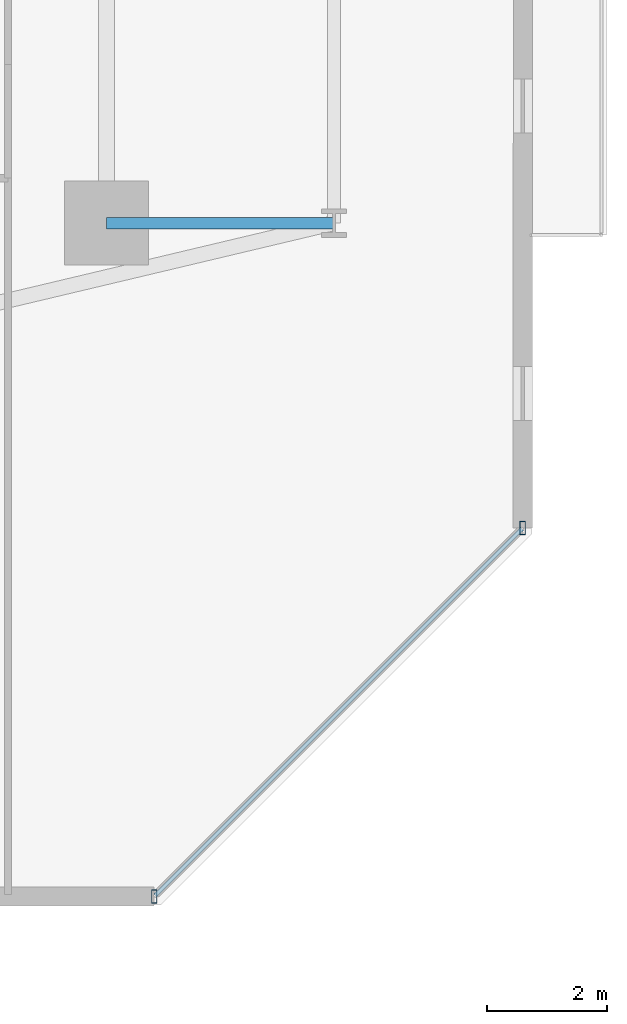
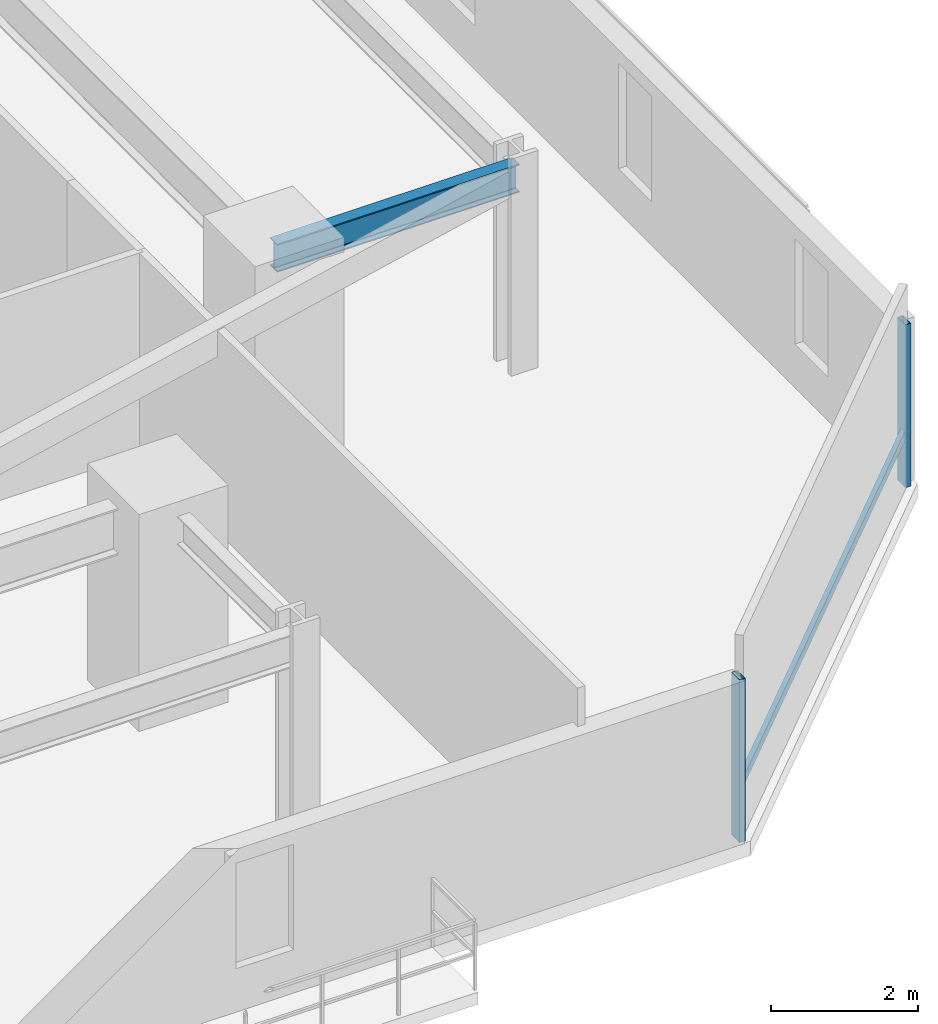
# One storey, part 12 of 34: 3 members, 1 beam, 1 element without a shape of its own.
"""IFC4 building model written with IfcOpenShell, lengths in metres."""

import ifcopenshell
import ifcopenshell.guid

model = None  # the IFC model being written
_history = None  # IfcOwnerHistory: only IFC2X3 demands one
_inside = {}  # id of a spatial element -> (the spatial element, [elements in it])
_under = {}  # id of a project, library or spatial element -> (it, [spatial elements below it])
_declared = {}  # id of a project -> (the project, [libraries it declares])
_typed = {}  # id of a type object -> (the type object, [elements of that type])
_made_of = {}  # id of a material, layer set ... -> (it, [elements and type objects made of it])


def new_model(schema):
    """Start an empty IFC model of exactly this schema.

    Asked for "IFC4X3", IfcOpenShell would pick the latest addendum, in which some entities
    have other attributes; the version numbers below select the first issue.
    IFC2X3 requires an IfcOwnerHistory on every rooted entity: one is made here for all.
    """
    global model, _history
    if schema == "IFC4X3":
        model = ifcopenshell.file(schema_version=(4, 3, 0, 0))
    else:
        model = ifcopenshell.file(schema=schema)
    _inside.clear()
    _under.clear()
    _declared.clear()
    _typed.clear()
    _made_of.clear()
    _history = None
    if model.schema == "IFC2X3":
        org = make("IfcOrganization", Name="unknown")
        user = make(
            "IfcPersonAndOrganization",
            ThePerson=make("IfcPerson", FamilyName="unknown"),
            TheOrganization=org,
        )
        app = make(
            "IfcApplication",
            ApplicationDeveloper=org,
            Version="unknown",
            ApplicationFullName="unknown",
            ApplicationIdentifier="unknown",
        )
        _history = make(
            "IfcOwnerHistory",
            OwningUser=user,
            OwningApplication=app,
            ChangeAction="ADDED",
            CreationDate=0,
        )
    return model


def make(cls, **values):
    """One entity of the class cls with the attributes given. An attribute that is None is left unset."""
    return model.create_entity(
        cls, **{name: value for name, value in values.items() if value is not None}
    )


def rooted(cls, **values):
    """An entity with a GlobalId (a new one), such as an element, a storey or a relation."""
    return make(cls, GlobalId=ifcopenshell.guid.new(), OwnerHistory=_history, **values)


def si_unit(unit_type, name, prefix=None):
    """IfcSIUnit, for example si_unit("LENGTHUNIT", "METRE", prefix="MILLI")."""
    return make("IfcSIUnit", UnitType=unit_type, Prefix=prefix, Name=name)


def assignment(units):
    """IfcUnitAssignment: the units of a project."""
    return None if units is None else make("IfcUnitAssignment", Units=units)


def point(xyz):
    """IfcCartesianPoint."""
    return None if xyz is None else make("IfcCartesianPoint", Coordinates=xyz)


def direction(xyz):
    """IfcDirection."""
    return None if xyz is None else make("IfcDirection", DirectionRatios=xyz)


def frame(location, z_axis=None, x_axis=None):
    """IfcAxis2Placement3D, a coordinate frame: its origin and axes. An axis left out is left unset."""
    return make(
        "IfcAxis2Placement3D",
        Location=point(location),
        Axis=direction(z_axis),
        RefDirection=direction(x_axis),
    )


def frame_2d(location, x_axis=None):
    """IfcAxis2Placement2D, a coordinate frame in the plane: its origin and x axis."""
    return make(
        "IfcAxis2Placement2D", Location=point(location), RefDirection=direction(x_axis)
    )


def origin():
    """The frame at (0, 0, 0) with its axes left unset."""
    return frame((0.0, 0.0, 0.0))


def origin_2d():
    """The frame at (0, 0) in the plane with its x axis left unset."""
    return frame_2d((0.0, 0.0))


def place(relative_to, where):
    """IfcLocalPlacement: puts the frame where relative to a parent placement (None: the world)."""
    return make(
        "IfcLocalPlacement", PlacementRelTo=relative_to, RelativePlacement=where
    )


def context(
    kind, dimensions, precision=None, world=None, true_north=None, identifier=None
):
    """IfcGeometricRepresentationContext, for example the 3D "Model" context."""
    return make(
        "IfcGeometricRepresentationContext",
        ContextIdentifier=identifier,
        ContextType=kind,
        CoordinateSpaceDimension=dimensions,
        Precision=precision,
        WorldCoordinateSystem=world,
        TrueNorth=true_north,
    )


def subcontext(parent, identifier, kind, view, scale=None):
    """IfcGeometricRepresentationSubContext, for example "Body" below "Model"."""
    return make(
        "IfcGeometricRepresentationSubContext",
        ContextIdentifier=identifier,
        ContextType=kind,
        ParentContext=parent,
        TargetScale=scale,
        TargetView=view,
    )


def project(units=None, contexts=None):
    """IfcProject with its units and contexts."""
    return rooted(
        "IfcProject",
        Name="project",
        RepresentationContexts=contexts,
        UnitsInContext=assignment(units),
    )


def spatial(cls, under=None, at=None, **own):
    """A site, building, storey or space (cls), placed at a placement, below another one or the project."""
    s = rooted(cls, ObjectPlacement=at, **own)
    if under is not None:
        _under.setdefault(under.id(), (under, []))[1].append(s)
    return s


def profile(cls, at=None, kind="AREA", **sizes):
    """A parametric profile (cls). Its sizes go by their IFC names, for example OverallWidth=200.0."""
    return make(cls, ProfileType=kind, Position=at, **sizes)


def hollow_rectangle(**sizes):
    """IfcRectangleHollowProfileDef."""
    return profile("IfcRectangleHollowProfileDef", **sizes)


def i_section(**sizes):
    """IfcIShapeProfileDef."""
    return profile("IfcIShapeProfileDef", **sizes)


def extrude(swept, where, along, depth):
    """IfcExtrudedAreaSolid: the profile swept, set in the frame where, extruded along a direction by depth."""
    return make(
        "IfcExtrudedAreaSolid",
        SweptArea=swept,
        Position=where,
        ExtrudedDirection=direction(along),
        Depth=depth,
    )


def shape(context_of_items, identifier, shape_type, items):
    """IfcShapeRepresentation: the items that make up one representation, for example the "Body"."""
    return make(
        "IfcShapeRepresentation",
        ContextOfItems=context_of_items,
        RepresentationIdentifier=identifier,
        RepresentationType=shape_type,
        Items=items,
    )


def material(Name=None, Category=None):
    """IfcMaterial."""
    return make("IfcMaterial", Name=Name, Category=Category)


def material_profile(
    of_material, cross_section, Name=None, Category=None, Priority=None
):
    """IfcMaterialProfile: a cross section and its material."""
    return make(
        "IfcMaterialProfile",
        Name=Name,
        Material=of_material,
        Profile=cross_section,
        Priority=Priority,
        Category=Category,
    )


def profile_set(profiles, Name=None, composite=None):
    """IfcMaterialProfileSet."""
    return make(
        "IfcMaterialProfileSet",
        Name=Name,
        MaterialProfiles=profiles,
        CompositeProfile=composite,
    )


def made_of(thing, what):
    """Note that an element or type object is made of a material, layer set ...; save() writes the relation."""
    if what is not None:
        _made_of.setdefault(what.id(), (what, []))[1].append(thing)
    return thing


def type_object(cls, material=None, **own):
    """A type object (cls), such as IfcWallType, which elements share."""
    return made_of(rooted(cls, **own), material)


def element(
    cls,
    number,
    at=None,
    inside=None,
    cuts=None,
    type_object=None,
    material=None,
    context=None,
    identifier="Body",
    shape_type=None,
    held_by="IfcProductDefinitionShape",
    body=None,
    shapes=None,
    **own,
):
    """One element of the class cls, such as IfcWall. Its Tag is "e" and its number.

    at: its placement. inside: the storey or other place that contains it. cuts: it is an
    opening in that element (IfcRelVoidsElement). A single representation is given by context,
    identifier, shape_type and body (its items); several are given by shapes. held_by: the class
    of the entity that holds the representations. save() writes the other relations.
    """
    e = rooted(cls, Tag="e%d" % number, ObjectPlacement=at, **own)
    if body is not None:
        shapes = [shape(context, identifier, shape_type, body)]
    if shapes is not None:
        e.Representation = make(held_by, Representations=shapes)
    if inside is not None:
        _inside.setdefault(inside.id(), (inside, []))[1].append(e)
    if cuts is not None:
        rooted(
            "IfcRelVoidsElement", RelatingBuildingElement=cuts, RelatedOpeningElement=e
        )
    if type_object is not None:
        _typed.setdefault(type_object.id(), (type_object, []))[1].append(e)
    return made_of(e, material)


def aggregate(whole, parts):
    """IfcRelAggregates: a whole, such as a stair, and the parts it consists of."""
    return rooted("IfcRelAggregates", RelatingObject=whole, RelatedObjects=parts)


def save(model, path):
    """Write the relations noted so far, then the file.

    IfcRelAggregates (storeys below a building ...), IfcRelContainedInSpatialStructure (elements
    in a storey), IfcRelDefinesByType, IfcRelAssociatesMaterial and IfcRelDeclares: one each for
    every whole, place, type object, material and project.
    """
    for whole, parts in _under.values():
        aggregate(whole, parts)
    for where, things in _inside.values():
        rooted(
            "IfcRelContainedInSpatialStructure",
            RelatedElements=things,
            RelatingStructure=where,
        )
    for kind, things in _typed.values():
        rooted("IfcRelDefinesByType", RelatedObjects=things, RelatingType=kind)
    for what, things in _made_of.values():
        rooted("IfcRelAssociatesMaterial", RelatedObjects=things, RelatingMaterial=what)
    for by, libraries in _declared.values():
        rooted("IfcRelDeclares", RelatingContext=by, RelatedDefinitions=libraries)
    model.write(path)


model = new_model("IFC4")

# Units and contexts
model_context = context("Model", 3, precision=1e-05, world=origin(), true_north=direction((0.0, 1.0)))
body_context = subcontext(model_context, "Body", "Model", "MODEL_VIEW")
ifc_project = project(units=[si_unit("LENGTHUNIT", "METRE"), si_unit("AREAUNIT", "SQUARE_METRE"), si_unit("VOLUMEUNIT", "CUBIC_METRE"), si_unit("PLANEANGLEUNIT", "RADIAN"), si_unit("MASSUNIT", "GRAM", prefix="KILO")], contexts=[model_context])

# Site, building, storey
site_placement = place(None, origin())
site = spatial("IfcSite", under=ifc_project, at=site_placement, CompositionType="ELEMENT")
building_placement = place(site_placement, origin())
building = spatial("IfcBuilding", under=site, at=building_placement, Name="Thornwick Lancets Civic Towers", CompositionType="ELEMENT")
storey_placement = place(building_placement, frame((0.0, 0.0, 27.89990234375)))
storey = spatial("IfcBuildingStorey", under=building, at=storey_placement, Name="L06", CompositionType="ELEMENT", Elevation=27.89990234375)

# Beam
ifc_material_1 = material(Name="Steel S355JR", Category="steel")
ifc_material_profile_1 = material_profile(ifc_material_1, i_section(OverallWidth=0.19287109375, OverallDepth=0.46728515625, WebThickness=0.011474609375, FlangeThickness=0.01953125, FilletRadius=0.01025390625, at=origin_2d()), Name="UKB 457x191x98")
ifc_profile_set_1 = profile_set([ifc_material_profile_1], Name="Steel S355JR")
beam_type = type_object("IfcBeamType", Name="BM_JOIST_457_98", PredefinedType="JOIST", material=ifc_profile_set_1)
beam_placement = place(storey_placement, frame((105.800048828125, 14.0, 3.12646484375), z_axis=(1.0, 0.0, 0.0), x_axis=(0.0, 1.0, 0.0)))
element("IfcBeam", 1, at=beam_placement, inside=storey, type_object=beam_type, Name="BM-RAD-L06-B01", PredefinedType="JOIST", context=body_context, shape_type="SweptSolid", body=[
    extrude(i_section(OverallWidth=0.19287109375, OverallDepth=0.46728515625, WebThickness=0.011474609375, FlangeThickness=0.01953125, FilletRadius=0.01025390625, at=origin_2d()), origin(), (0.0, 0.0, 1.0), 3.800048828125),
])

# Curtain wall, members
ifc_material_2 = material(Name="Low-zone chamfered-corner unitised glass curtain wall", Category="glass")
curtain_wall_type = type_object("IfcCurtainWallType", Name="CW_SYS_03", PredefinedType="NOTDEFINED", material=ifc_material_2)
curtain_wall_placement = place(storey_placement, origin())
curtain_wall = element("IfcCurtainWall", 2, at=curtain_wall_placement, inside=storey, type_object=curtain_wall_type, Name="L06 Curtain Wall CW-L06-B-E1", PredefinedType="NOTDEFINED")
ifc_material_3 = material(Name="Thermally broken bronze aluminium S355", Category="steel")
ifc_material_profile_2 = material_profile(ifc_material_3, hollow_rectangle(XDim=0.090087890625, YDim=0.219970703125, WallThickness=0.00634765625, at=origin_2d()), Name="RHS 220x90x6.3")
ifc_profile_set_2 = profile_set([ifc_material_profile_2], Name="Thermally broken bronze aluminium S355")
member_type_1 = type_object("IfcMemberType", Name="CW_MUL_220", PredefinedType="MULLION", material=ifc_profile_set_2)
member_1_placement = place(storey_placement, frame((106.595703125, 2.74658203125, 0.0), z_axis=(0.0, 0.0, 1.0), x_axis=(1.0, 0.0, 0.0)))
member_1 = element("IfcMember", 3, at=member_1_placement, type_object=member_type_1, Name="CW-L06-B-E1 Mullion 0", PredefinedType="MULLION", context=body_context, shape_type="SweptSolid", body=[
    extrude(hollow_rectangle(XDim=0.090087890625, YDim=0.219970703125, WallThickness=0.00634765625, at=origin_2d()), origin(), (0.0, 0.0, 1.0), 2.7001953125),
])
member_2_placement = place(storey_placement, frame((112.75341796875, 8.904296875, 0.0), z_axis=(0.0, 0.0, 1.0), x_axis=(1.0, 0.0, 0.0)))
member_2 = element("IfcMember", 4, at=member_2_placement, type_object=member_type_1, Name="CW-L06-B-E1 Mullion 1", PredefinedType="MULLION", context=body_context, shape_type="SweptSolid", body=[
    extrude(hollow_rectangle(XDim=0.090087890625, YDim=0.219970703125, WallThickness=0.00634765625, at=origin_2d()), origin(), (0.0, 0.0, 1.0), 2.7001953125),
])
ifc_material_profile_3 = material_profile(ifc_material_3, hollow_rectangle(XDim=0.074951171875, YDim=0.14990234375, WallThickness=0.0048828125, at=origin_2d()), Name="RHS 150x75x5")
ifc_profile_set_3 = profile_set([ifc_material_profile_3], Name="Thermally broken bronze aluminium S355")
member_type_2 = type_object("IfcMemberType", Name="CW_TRN_150", PredefinedType="USERDEFINED", material=ifc_profile_set_3)
member_3_placement = place(storey_placement, frame((106.60986328125, 2.7607421875, 0.85009765625), z_axis=(0.707106781187, 0.707106781187, 0.0), x_axis=(-0.707106781187, 0.707106781187, 0.0)))
member_3 = element("IfcMember", 5, at=member_3_placement, type_object=member_type_2, Name="CW-L06-B-E1 Transom 0", ObjectType="TRANSOM", PredefinedType="USERDEFINED", context=body_context, shape_type="SweptSolid", body=[
    extrude(hollow_rectangle(XDim=0.074951171875, YDim=0.14990234375, WallThickness=0.0048828125, at=origin_2d()), origin(), (0.0, 0.0, 1.0), 8.668212890625),
])
aggregate(curtain_wall, [member_1, member_2, member_3])

save(model, "model.ifc")
